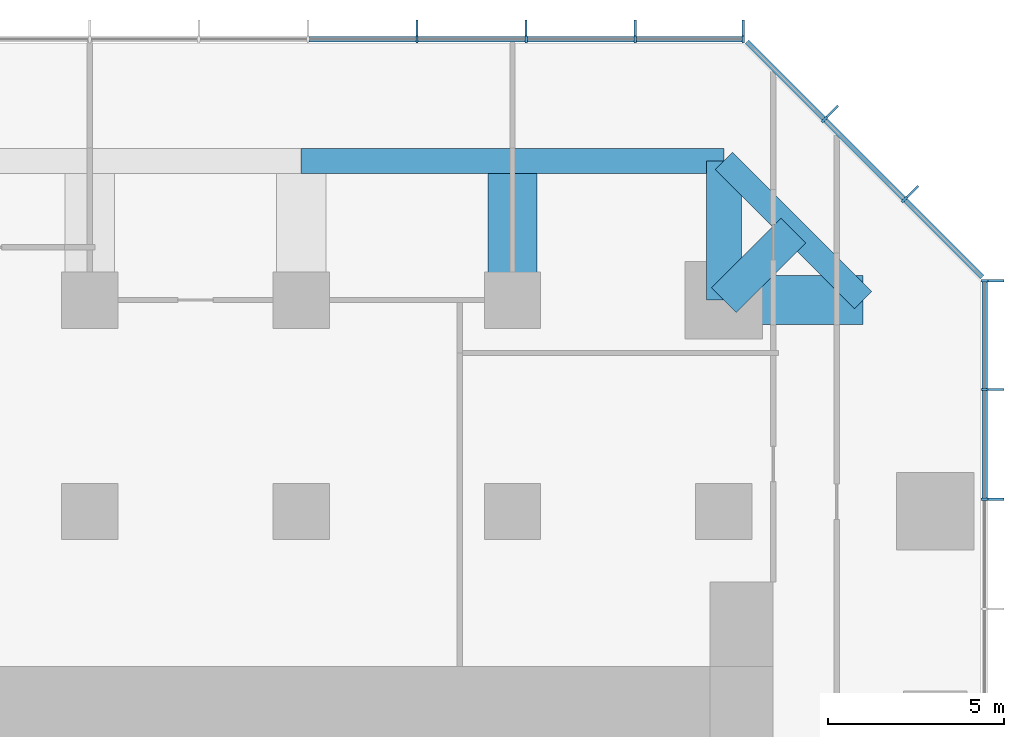
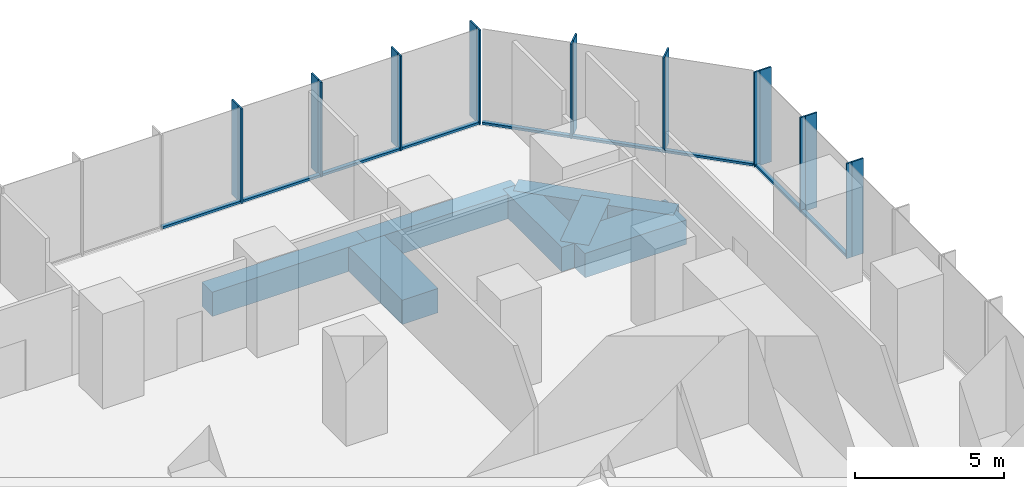
# One storey, part 6 of 11: 27 members, 7 beams, 3 elements without a shape of their own.
"""IFC4 building model written with IfcOpenShell, lengths in metres."""

import ifcopenshell
import ifcopenshell.guid

model = None  # the IFC model being written
_history = None  # IfcOwnerHistory: only IFC2X3 demands one
_inside = {}  # id of a spatial element -> (the spatial element, [elements in it])
_under = {}  # id of a project, library or spatial element -> (it, [spatial elements below it])
_declared = {}  # id of a project -> (the project, [libraries it declares])
_typed = {}  # id of a type object -> (the type object, [elements of that type])
_made_of = {}  # id of a material, layer set ... -> (it, [elements and type objects made of it])


def new_model(schema):
    """Start an empty IFC model of exactly this schema.

    Asked for "IFC4X3", IfcOpenShell would pick the latest addendum, in which some entities
    have other attributes; the version numbers below select the first issue.
    IFC2X3 requires an IfcOwnerHistory on every rooted entity: one is made here for all.
    """
    global model, _history
    if schema == "IFC4X3":
        model = ifcopenshell.file(schema_version=(4, 3, 0, 0))
    else:
        model = ifcopenshell.file(schema=schema)
    _inside.clear()
    _under.clear()
    _declared.clear()
    _typed.clear()
    _made_of.clear()
    _history = None
    if model.schema == "IFC2X3":
        org = make("IfcOrganization", Name="unknown")
        user = make(
            "IfcPersonAndOrganization",
            ThePerson=make("IfcPerson", FamilyName="unknown"),
            TheOrganization=org,
        )
        app = make(
            "IfcApplication",
            ApplicationDeveloper=org,
            Version="unknown",
            ApplicationFullName="unknown",
            ApplicationIdentifier="unknown",
        )
        _history = make(
            "IfcOwnerHistory",
            OwningUser=user,
            OwningApplication=app,
            ChangeAction="ADDED",
            CreationDate=0,
        )
    return model


def make(cls, **values):
    """One entity of the class cls with the attributes given. An attribute that is None is left unset."""
    return model.create_entity(
        cls, **{name: value for name, value in values.items() if value is not None}
    )


def rooted(cls, **values):
    """An entity with a GlobalId (a new one), such as an element, a storey or a relation."""
    return make(cls, GlobalId=ifcopenshell.guid.new(), OwnerHistory=_history, **values)


def si_unit(unit_type, name, prefix=None):
    """IfcSIUnit, for example si_unit("LENGTHUNIT", "METRE", prefix="MILLI")."""
    return make("IfcSIUnit", UnitType=unit_type, Prefix=prefix, Name=name)


def assignment(units):
    """IfcUnitAssignment: the units of a project."""
    return None if units is None else make("IfcUnitAssignment", Units=units)


def point(xyz):
    """IfcCartesianPoint."""
    return None if xyz is None else make("IfcCartesianPoint", Coordinates=xyz)


def direction(xyz):
    """IfcDirection."""
    return None if xyz is None else make("IfcDirection", DirectionRatios=xyz)


def frame(location, z_axis=None, x_axis=None):
    """IfcAxis2Placement3D, a coordinate frame: its origin and axes. An axis left out is left unset."""
    return make(
        "IfcAxis2Placement3D",
        Location=point(location),
        Axis=direction(z_axis),
        RefDirection=direction(x_axis),
    )


def frame_2d(location, x_axis=None):
    """IfcAxis2Placement2D, a coordinate frame in the plane: its origin and x axis."""
    return make(
        "IfcAxis2Placement2D", Location=point(location), RefDirection=direction(x_axis)
    )


def origin():
    """The frame at (0, 0, 0) with its axes left unset."""
    return frame((0.0, 0.0, 0.0))


def origin_2d():
    """The frame at (0, 0) in the plane with its x axis left unset."""
    return frame_2d((0.0, 0.0))


def place(relative_to, where):
    """IfcLocalPlacement: puts the frame where relative to a parent placement (None: the world)."""
    return make(
        "IfcLocalPlacement", PlacementRelTo=relative_to, RelativePlacement=where
    )


def context(
    kind, dimensions, precision=None, world=None, true_north=None, identifier=None
):
    """IfcGeometricRepresentationContext, for example the 3D "Model" context."""
    return make(
        "IfcGeometricRepresentationContext",
        ContextIdentifier=identifier,
        ContextType=kind,
        CoordinateSpaceDimension=dimensions,
        Precision=precision,
        WorldCoordinateSystem=world,
        TrueNorth=true_north,
    )


def subcontext(parent, identifier, kind, view, scale=None):
    """IfcGeometricRepresentationSubContext, for example "Body" below "Model"."""
    return make(
        "IfcGeometricRepresentationSubContext",
        ContextIdentifier=identifier,
        ContextType=kind,
        ParentContext=parent,
        TargetScale=scale,
        TargetView=view,
    )


def project(units=None, contexts=None):
    """IfcProject with its units and contexts."""
    return rooted(
        "IfcProject",
        Name="project",
        RepresentationContexts=contexts,
        UnitsInContext=assignment(units),
    )


def spatial(cls, under=None, at=None, **own):
    """A site, building, storey or space (cls), placed at a placement, below another one or the project."""
    s = rooted(cls, ObjectPlacement=at, **own)
    if under is not None:
        _under.setdefault(under.id(), (under, []))[1].append(s)
    return s


def profile(cls, at=None, kind="AREA", **sizes):
    """A parametric profile (cls). Its sizes go by their IFC names, for example OverallWidth=200.0."""
    return make(cls, ProfileType=kind, Position=at, **sizes)


def rectangle(**sizes):
    """IfcRectangleProfileDef."""
    return profile("IfcRectangleProfileDef", **sizes)


def extrude(swept, where, along, depth):
    """IfcExtrudedAreaSolid: the profile swept, set in the frame where, extruded along a direction by depth."""
    return make(
        "IfcExtrudedAreaSolid",
        SweptArea=swept,
        Position=where,
        ExtrudedDirection=direction(along),
        Depth=depth,
    )


def shape(context_of_items, identifier, shape_type, items):
    """IfcShapeRepresentation: the items that make up one representation, for example the "Body"."""
    return make(
        "IfcShapeRepresentation",
        ContextOfItems=context_of_items,
        RepresentationIdentifier=identifier,
        RepresentationType=shape_type,
        Items=items,
    )


def material(Name=None, Category=None):
    """IfcMaterial."""
    return make("IfcMaterial", Name=Name, Category=Category)


def layer(
    of_material, thickness, ventilated=None, Name=None, Category=None, Priority=None
):
    """IfcMaterialLayer: one layer of a wall or slab, of a material (None: an air gap)."""
    return make(
        "IfcMaterialLayer",
        Material=of_material,
        LayerThickness=thickness,
        IsVentilated=ventilated,
        Name=Name,
        Category=Category,
        Priority=Priority,
    )


def layer_set(layers, Name=None):
    """IfcMaterialLayerSet."""
    return make("IfcMaterialLayerSet", MaterialLayers=layers, LayerSetName=Name)


def material_profile(
    of_material, cross_section, Name=None, Category=None, Priority=None
):
    """IfcMaterialProfile: a cross section and its material."""
    return make(
        "IfcMaterialProfile",
        Name=Name,
        Material=of_material,
        Profile=cross_section,
        Priority=Priority,
        Category=Category,
    )


def profile_set(profiles, Name=None, composite=None):
    """IfcMaterialProfileSet."""
    return make(
        "IfcMaterialProfileSet",
        Name=Name,
        MaterialProfiles=profiles,
        CompositeProfile=composite,
    )


def made_of(thing, what):
    """Note that an element or type object is made of a material, layer set ...; save() writes the relation."""
    if what is not None:
        _made_of.setdefault(what.id(), (what, []))[1].append(thing)
    return thing


def type_object(cls, material=None, **own):
    """A type object (cls), such as IfcWallType, which elements share."""
    return made_of(rooted(cls, **own), material)


def element(
    cls,
    number,
    at=None,
    inside=None,
    cuts=None,
    type_object=None,
    material=None,
    context=None,
    identifier="Body",
    shape_type=None,
    held_by="IfcProductDefinitionShape",
    body=None,
    shapes=None,
    **own,
):
    """One element of the class cls, such as IfcWall. Its Tag is "e" and its number.

    at: its placement. inside: the storey or other place that contains it. cuts: it is an
    opening in that element (IfcRelVoidsElement). A single representation is given by context,
    identifier, shape_type and body (its items); several are given by shapes. held_by: the class
    of the entity that holds the representations. save() writes the other relations.
    """
    e = rooted(cls, Tag="e%d" % number, ObjectPlacement=at, **own)
    if body is not None:
        shapes = [shape(context, identifier, shape_type, body)]
    if shapes is not None:
        e.Representation = make(held_by, Representations=shapes)
    if inside is not None:
        _inside.setdefault(inside.id(), (inside, []))[1].append(e)
    if cuts is not None:
        rooted(
            "IfcRelVoidsElement", RelatingBuildingElement=cuts, RelatedOpeningElement=e
        )
    if type_object is not None:
        _typed.setdefault(type_object.id(), (type_object, []))[1].append(e)
    return made_of(e, material)


def aggregate(whole, parts):
    """IfcRelAggregates: a whole, such as a stair, and the parts it consists of."""
    return rooted("IfcRelAggregates", RelatingObject=whole, RelatedObjects=parts)


def save(model, path):
    """Write the relations noted so far, then the file.

    IfcRelAggregates (storeys below a building ...), IfcRelContainedInSpatialStructure (elements
    in a storey), IfcRelDefinesByType, IfcRelAssociatesMaterial and IfcRelDeclares: one each for
    every whole, place, type object, material and project.
    """
    for whole, parts in _under.values():
        aggregate(whole, parts)
    for where, things in _inside.values():
        rooted(
            "IfcRelContainedInSpatialStructure",
            RelatedElements=things,
            RelatingStructure=where,
        )
    for kind, things in _typed.values():
        rooted("IfcRelDefinesByType", RelatedObjects=things, RelatingType=kind)
    for what, things in _made_of.values():
        rooted("IfcRelAssociatesMaterial", RelatedObjects=things, RelatingMaterial=what)
    for by, libraries in _declared.values():
        rooted("IfcRelDeclares", RelatingContext=by, RelatedDefinitions=libraries)
    model.write(path)


model = new_model("IFC4")

# Units and contexts
model_context = context("Model", 3, precision=1e-05, world=origin(), true_north=direction((0.0, 1.0)))
body_context = subcontext(model_context, "Body", "Model", "MODEL_VIEW")
ifc_project = project(units=[si_unit("LENGTHUNIT", "METRE"), si_unit("AREAUNIT", "SQUARE_METRE"), si_unit("VOLUMEUNIT", "CUBIC_METRE"), si_unit("PLANEANGLEUNIT", "RADIAN"), si_unit("MASSUNIT", "GRAM", prefix="KILO")], contexts=[model_context])

# Site, building, storey
site_placement = place(None, origin())
site = spatial("IfcSite", under=ifc_project, at=site_placement, CompositionType="ELEMENT")
building_placement = place(site_placement, origin())
building = spatial("IfcBuilding", under=site, at=building_placement, Name="Highveld Stack Headquarters", CompositionType="ELEMENT")
storey_placement = place(building_placement, frame((0.0, 0.0, 105.5)))
storey = spatial("IfcBuildingStorey", under=building, at=storey_placement, Name="L25", CompositionType="ELEMENT", Elevation=105.5)

# Beams
ifc_material_1 = material(Name="Concrete C60/75", Category="concrete")
ifc_material_profile_1 = material_profile(ifc_material_1, rectangle(XDim=1.0, YDim=1.0, at=origin_2d()), Name="RC 1000x1000")
ifc_profile_set_1 = profile_set([ifc_material_profile_1], Name="Concrete C60/75")
beam_type_1 = type_object("IfcBeamType", Name="CANTILEVER RIB RC 1000x1000", PredefinedType="USERDEFINED", material=ifc_profile_set_1)
beam_1_placement = place(storey_placement, frame((18.0, 24.0, -0.75), z_axis=(0.0, 1.0, 0.0), x_axis=(-1.0, 0.0, 0.0)))
element("IfcBeam", 1, at=beam_1_placement, inside=storey, type_object=beam_type_1, Name="Cantilever rib 9/J L25", ObjectType="CANTILEVER RIB", PredefinedType="USERDEFINED", context=body_context, shape_type="SweptSolid", body=[
    extrude(rectangle(XDim=1.0, YDim=1.0, at=origin_2d()), origin(), (0.0, 0.0, 1.0), 3.949951171875),
])
beam_2_placement = place(storey_placement, frame((18.0, 24.0, -0.75), z_axis=(0.707106781187, 0.707106781187, 0.0), x_axis=(-0.707106781187, 0.707106781187, 0.0)))
element("IfcBeam", 2, at=beam_2_placement, inside=storey, type_object=beam_type_1, Name="Cantilever rib 9/J L25", ObjectType="CANTILEVER RIB", PredefinedType="USERDEFINED", context=body_context, shape_type="SweptSolid", body=[
    extrude(rectangle(XDim=1.0, YDim=1.0, at=origin_2d()), origin(), (0.0, 0.0, 1.0), 2.793212890625),
])
ifc_material_2 = material(Name="Concrete C60/75", Category="concrete")
ifc_material_profile_2 = material_profile(ifc_material_2, rectangle(XDim=1.39990234375, YDim=1.0, at=origin_2d()), Name="RC 1400x1000")
ifc_profile_set_2 = profile_set([ifc_material_profile_2], Name="Concrete C60/75")
beam_type_2 = type_object("IfcBeamType", Name="CANTILEVER RIB RC 1400x1000", PredefinedType="USERDEFINED", material=ifc_profile_set_2)
for number, where, z_axis, x_axis, name in (
    (3, (12.0, 24.0, -0.75), (0.0, 1.0, 0.0), (-1.0, 0.0, 0.0), "Cantilever rib 8/J L25"),
    (4, (18.0, 24.0, -0.75), (1.0, 0.0, 0.0), (0.0, 1.0, 0.0), "Cantilever rib 9/J L25"),
):
    element("IfcBeam", number, at=place(storey_placement, frame(where, z_axis=z_axis, x_axis=x_axis)), inside=storey, type_object=beam_type_2, Name=name, ObjectType="CANTILEVER RIB", PredefinedType="USERDEFINED", context=body_context, shape_type="SweptSolid", body=[
        extrude(rectangle(XDim=1.39990234375, YDim=1.0, at=origin_2d()), origin(), (0.0, 0.0, 1.0), 3.949951171875),
    ])

# Curtain wall, members
ifc_material_3 = material(Name="Aluminium bronze anodised", Category="aluminium")
ifc_layer_1 = layer(ifc_material_3, 0.199951171875)
ifc_layer_set_1 = layer_set([ifc_layer_1], Name="Aluminium bronze anodised")
curtain_wall_type_1 = type_object("IfcCurtainWallType", Name="CW1 TOWER UNITISED CURTAIN WALL", PredefinedType="NOTDEFINED", material=ifc_layer_set_1)
curtain_wall_1_placement = place(storey_placement, origin())
curtain_wall_1 = element("IfcCurtainWall", 5, at=curtain_wall_1_placement, inside=storey, type_object=curtain_wall_type_1, Name="Curtain wall CW1 L25 E", PredefinedType="NOTDEFINED")
ifc_material_4 = material(Name="Aluminium bronze anodised", Category="aluminium")
ifc_material_profile_3 = material_profile(ifc_material_4, rectangle(XDim=0.449951171875, YDim=0.06005859375, at=origin_2d()), Name="FIN 450x60")
ifc_profile_set_3 = profile_set([ifc_material_profile_3], Name="Aluminium bronze anodised")
member_type_1 = type_object("IfcMemberType", Name="CW1 BRONZE FIN 450x60", PredefinedType="USERDEFINED", material=ifc_profile_set_3)
member_1_placement = place(storey_placement, frame((25.72509765625, 18.347900390625, 0.0), z_axis=(0.0, 0.0, 1.0), x_axis=(-1.0, 0.0, 0.0)))
member_1 = element("IfcMember", 6, at=member_1_placement, type_object=member_type_1, Name="CW1 fin L25 9", ObjectType="FIN", PredefinedType="USERDEFINED", context=body_context, shape_type="SweptSolid", body=[
    extrude(rectangle(XDim=0.449951171875, YDim=0.06005859375, at=origin_2d()), origin(), (0.0, 0.0, 1.0), 3.89990234375),
])
member_2_placement = place(storey_placement, frame((25.72509765625, 21.4638671875, 0.0), z_axis=(0.0, 0.0, 1.0), x_axis=(-1.0, 0.0, 0.0)))
member_2 = element("IfcMember", 7, at=member_2_placement, type_object=member_type_1, Name="CW1 fin L25 10", ObjectType="FIN", PredefinedType="USERDEFINED", context=body_context, shape_type="SweptSolid", body=[
    extrude(rectangle(XDim=0.449951171875, YDim=0.06005859375, at=origin_2d()), origin(), (0.0, 0.0, 1.0), 3.89990234375),
])
member_3_placement = place(storey_placement, frame((25.72509765625, 24.54736328125, 0.0), z_axis=(0.0, 0.0, 1.0), x_axis=(-1.0, 0.0, 0.0)))
member_3 = element("IfcMember", 8, at=member_3_placement, type_object=member_type_1, Name="CW1 fin L25 11", ObjectType="FIN", PredefinedType="USERDEFINED", context=body_context, shape_type="SweptSolid", body=[
    extrude(rectangle(XDim=0.449951171875, YDim=0.06005859375, at=origin_2d()), origin(), (0.0, 0.0, 1.0), 3.89990234375),
])

curtain_wall_2_placement = place(storey_placement, origin())
curtain_wall_2 = element("IfcCurtainWall", 9, at=curtain_wall_2_placement, inside=storey, type_object=curtain_wall_type_1, Name="Curtain wall CW1 L25 N", PredefinedType="NOTDEFINED")
member_4_placement = place(storey_placement, frame((18.54736328125, 31.72509765625, 0.0), z_axis=(0.0, 0.0, 1.0), x_axis=(0.0, -1.0, 0.0)))
member_4 = element("IfcMember", 10, at=member_4_placement, type_object=member_type_1, Name="CW1 fin L25 1", ObjectType="FIN", PredefinedType="USERDEFINED", context=body_context, shape_type="SweptSolid", body=[
    extrude(rectangle(XDim=0.449951171875, YDim=0.06005859375, at=origin_2d()), origin(), (0.0, 0.0, 1.0), 3.89990234375),
])
member_5_placement = place(storey_placement, frame((15.483154296875, 31.72509765625, 0.0), z_axis=(0.0, 0.0, 1.0), x_axis=(0.0, -1.0, 0.0)))
member_5 = element("IfcMember", 11, at=member_5_placement, type_object=member_type_1, Name="CW1 fin L25 2", ObjectType="FIN", PredefinedType="USERDEFINED", context=body_context, shape_type="SweptSolid", body=[
    extrude(rectangle(XDim=0.449951171875, YDim=0.06005859375, at=origin_2d()), origin(), (0.0, 0.0, 1.0), 3.89990234375),
])
member_6_placement = place(storey_placement, frame((12.38671875, 31.72509765625, 0.0), z_axis=(0.0, 0.0, 1.0), x_axis=(0.0, -1.0, 0.0)))
member_6 = element("IfcMember", 12, at=member_6_placement, type_object=member_type_1, Name="CW1 fin L25 3", ObjectType="FIN", PredefinedType="USERDEFINED", context=body_context, shape_type="SweptSolid", body=[
    extrude(rectangle(XDim=0.449951171875, YDim=0.06005859375, at=origin_2d()), origin(), (0.0, 0.0, 1.0), 3.89990234375),
])
member_7_placement = place(storey_placement, frame((9.289794921875, 31.72509765625, 0.0), z_axis=(0.0, 0.0, 1.0), x_axis=(0.0, -1.0, 0.0)))
member_7 = element("IfcMember", 13, at=member_7_placement, type_object=member_type_1, Name="CW1 fin L25 4", ObjectType="FIN", PredefinedType="USERDEFINED", context=body_context, shape_type="SweptSolid", body=[
    extrude(rectangle(XDim=0.449951171875, YDim=0.06005859375, at=origin_2d()), origin(), (0.0, 0.0, 1.0), 3.89990234375),
])

# Member
ifc_material_5 = material(Name="Aluminium bronze anodised", Category="aluminium")
ifc_material_profile_4 = material_profile(ifc_material_5, rectangle(XDim=0.199951171875, YDim=0.06494140625, at=origin_2d()), Name="CW1 MULLION 65x200")
ifc_profile_set_4 = profile_set([ifc_material_profile_4], Name="Aluminium bronze anodised")
member_type_2 = type_object("IfcMemberType", Name="CW1 MULLION 65x200", PredefinedType="MULLION", material=ifc_profile_set_4)
member_8_placement = place(storey_placement, frame((25.39990234375, 18.347900390625, 0.0), z_axis=(0.0, 0.0, 1.0), x_axis=(-1.0, 0.0, 0.0)))
member_8 = element("IfcMember", 14, at=member_8_placement, type_object=member_type_2, Name="CW1 mullion L25 9", PredefinedType="MULLION", context=body_context, shape_type="SweptSolid", body=[
    extrude(rectangle(XDim=0.199951171875, YDim=0.06494140625, at=origin_2d()), origin(), (0.0, 0.0, 1.0), 3.89990234375),
])

member_9_placement = place(storey_placement, frame((25.39990234375, 21.4638671875, 0.0), z_axis=(0.0, 0.0, 1.0), x_axis=(-1.0, 0.0, 0.0)))
member_9 = element("IfcMember", 15, at=member_9_placement, type_object=member_type_2, Name="CW1 mullion L25 10", PredefinedType="MULLION", context=body_context, shape_type="SweptSolid", body=[
    extrude(rectangle(XDim=0.199951171875, YDim=0.06494140625, at=origin_2d()), origin(), (0.0, 0.0, 1.0), 3.89990234375),
])

member_10_placement = place(storey_placement, frame((25.39990234375, 24.54736328125, 0.0), z_axis=(0.0, 0.0, 1.0), x_axis=(-1.0, 0.0, 0.0)))
member_10 = element("IfcMember", 16, at=member_10_placement, type_object=member_type_2, Name="CW1 mullion L25 11", PredefinedType="MULLION", context=body_context, shape_type="SweptSolid", body=[
    extrude(rectangle(XDim=0.199951171875, YDim=0.06494140625, at=origin_2d()), origin(), (0.0, 0.0, 1.0), 3.89990234375),
])

member_11_placement = place(storey_placement, frame((18.54736328125, 31.39990234375, 0.0), z_axis=(0.0, 0.0, 1.0), x_axis=(0.0, -1.0, 0.0)))
member_11 = element("IfcMember", 17, at=member_11_placement, type_object=member_type_2, Name="CW1 mullion L25 1", PredefinedType="MULLION", context=body_context, shape_type="SweptSolid", body=[
    extrude(rectangle(XDim=0.199951171875, YDim=0.06494140625, at=origin_2d()), origin(), (0.0, 0.0, 1.0), 3.89990234375),
])

member_12_placement = place(storey_placement, frame((15.483154296875, 31.39990234375, 0.0), z_axis=(0.0, 0.0, 1.0), x_axis=(0.0, -1.0, 0.0)))
member_12 = element("IfcMember", 18, at=member_12_placement, type_object=member_type_2, Name="CW1 mullion L25 2", PredefinedType="MULLION", context=body_context, shape_type="SweptSolid", body=[
    extrude(rectangle(XDim=0.199951171875, YDim=0.06494140625, at=origin_2d()), origin(), (0.0, 0.0, 1.0), 3.89990234375),
])

member_13_placement = place(storey_placement, frame((12.38671875, 31.39990234375, 0.0), z_axis=(0.0, 0.0, 1.0), x_axis=(0.0, -1.0, 0.0)))
member_13 = element("IfcMember", 19, at=member_13_placement, type_object=member_type_2, Name="CW1 mullion L25 3", PredefinedType="MULLION", context=body_context, shape_type="SweptSolid", body=[
    extrude(rectangle(XDim=0.199951171875, YDim=0.06494140625, at=origin_2d()), origin(), (0.0, 0.0, 1.0), 3.89990234375),
])

member_14_placement = place(storey_placement, frame((9.289794921875, 31.39990234375, 0.0), z_axis=(0.0, 0.0, 1.0), x_axis=(0.0, -1.0, 0.0)))
member_14 = element("IfcMember", 20, at=member_14_placement, type_object=member_type_2, Name="CW1 mullion L25 4", PredefinedType="MULLION", context=body_context, shape_type="SweptSolid", body=[
    extrude(rectangle(XDim=0.199951171875, YDim=0.06494140625, at=origin_2d()), origin(), (0.0, 0.0, 1.0), 3.89990234375),
])

ifc_material_6 = material(Name="Aluminium bronze anodised", Category="aluminium")
ifc_material_profile_5 = material_profile(ifc_material_6, rectangle(XDim=0.14990234375, YDim=0.10009765625, at=origin_2d()), Name="CW1 TRANSOM 150x100")
ifc_profile_set_5 = profile_set([ifc_material_profile_5], Name="Aluminium bronze anodised")
member_type_3 = type_object("IfcMemberType", Name="CW1 STACK TRANSOM 150x100", PredefinedType="USERDEFINED", material=ifc_profile_set_5)
member_15_placement = place(storey_placement, frame((25.39990234375, 18.38037109375, 0.050048828125), z_axis=(0.0, 1.0, 0.0), x_axis=(-1.0, 0.0, 0.0)))
member_15 = element("IfcMember", 21, at=member_15_placement, type_object=member_type_3, Name="CW1 transom L25 9.1", ObjectType="TRANSOM", PredefinedType="USERDEFINED", context=body_context, shape_type="SweptSolid", body=[
    extrude(rectangle(XDim=0.14990234375, YDim=0.10009765625, at=origin_2d()), origin(), (0.0, 0.0, 1.0), 3.051025390625),
])

member_16_placement = place(storey_placement, frame((25.39990234375, 21.496337890625, 0.050048828125), z_axis=(0.0, 1.0, 0.0), x_axis=(-1.0, 0.0, 0.0)))
member_16 = element("IfcMember", 22, at=member_16_placement, type_object=member_type_3, Name="CW1 transom L25 10.1", ObjectType="TRANSOM", PredefinedType="USERDEFINED", context=body_context, shape_type="SweptSolid", body=[
    extrude(rectangle(XDim=0.14990234375, YDim=0.10009765625, at=origin_2d()), origin(), (0.0, 0.0, 1.0), 3.0185546875),
])

aggregate(curtain_wall_1, [member_8, member_1, member_9, member_2, member_10, member_3, member_15, member_16])

member_17_placement = place(storey_placement, frame((18.514892578125, 31.39990234375, 0.050048828125), z_axis=(-1.0, 0.0, 0.0), x_axis=(0.0, -1.0, 0.0)))
member_17 = element("IfcMember", 23, at=member_17_placement, type_object=member_type_3, Name="CW1 transom L25 1.1", ObjectType="TRANSOM", PredefinedType="USERDEFINED", context=body_context, shape_type="SweptSolid", body=[
    extrude(rectangle(XDim=0.14990234375, YDim=0.10009765625, at=origin_2d()), origin(), (0.0, 0.0, 1.0), 2.999267578125),
])

member_18_placement = place(storey_placement, frame((15.45068359375, 31.39990234375, 0.050048828125), z_axis=(-1.0, 0.0, 0.0), x_axis=(0.0, -1.0, 0.0)))
member_18 = element("IfcMember", 24, at=member_18_placement, type_object=member_type_3, Name="CW1 transom L25 2.1", ObjectType="TRANSOM", PredefinedType="USERDEFINED", context=body_context, shape_type="SweptSolid", body=[
    extrude(rectangle(XDim=0.14990234375, YDim=0.10009765625, at=origin_2d()), origin(), (0.0, 0.0, 1.0), 3.031494140625),
])

member_19_placement = place(storey_placement, frame((12.35400390625, 31.39990234375, 0.050048828125), z_axis=(-1.0, 0.0, 0.0), x_axis=(0.0, -1.0, 0.0)))
member_19 = element("IfcMember", 25, at=member_19_placement, type_object=member_type_3, Name="CW1 transom L25 3.1", ObjectType="TRANSOM", PredefinedType="USERDEFINED", context=body_context, shape_type="SweptSolid", body=[
    extrude(rectangle(XDim=0.14990234375, YDim=0.10009765625, at=origin_2d()), origin(), (0.0, 0.0, 1.0), 3.031494140625),
])

member_20_placement = place(storey_placement, frame((9.25732421875, 31.39990234375, 0.050048828125), z_axis=(-1.0, 0.0, 0.0), x_axis=(0.0, -1.0, 0.0)))
member_20 = element("IfcMember", 26, at=member_20_placement, type_object=member_type_3, Name="CW1 transom L25 4.1", ObjectType="TRANSOM", PredefinedType="USERDEFINED", context=body_context, shape_type="SweptSolid", body=[
    extrude(rectangle(XDim=0.14990234375, YDim=0.10009765625, at=origin_2d()), origin(), (0.0, 0.0, 1.0), 3.031494140625),
])

aggregate(curtain_wall_2, [member_11, member_4, member_12, member_5, member_13, member_6, member_14, member_7, member_17, member_18, member_19, member_20])

# Curtain wall, members
ifc_material_7 = material(Name="Aluminium bronze anodised", Category="aluminium")
ifc_layer_2 = layer(ifc_material_7, 0.199951171875)
ifc_layer_set_2 = layer_set([ifc_layer_2], Name="Aluminium bronze anodised")
curtain_wall_type_2 = type_object("IfcCurtainWallType", Name="CW2 TOWER CHAMFER UNITISED CURTAIN WALL", PredefinedType="NOTDEFINED", material=ifc_layer_set_2)
curtain_wall_3_placement = place(storey_placement, origin())
curtain_wall_3 = element("IfcCurtainWall", 27, at=curtain_wall_3_placement, inside=storey, type_object=curtain_wall_type_2, Name="Curtain wall CW2 L25 NE", PredefinedType="NOTDEFINED")
ifc_material_8 = material(Name="Aluminium bronze anodised", Category="aluminium")
ifc_material_profile_6 = material_profile(ifc_material_8, rectangle(XDim=0.449951171875, YDim=0.06005859375, at=origin_2d()), Name="FIN 450x60")
ifc_profile_set_6 = profile_set([ifc_material_profile_6], Name="Aluminium bronze anodised")
member_type_4 = type_object("IfcMemberType", Name="CW2 BRONZE FIN 450x60", PredefinedType="USERDEFINED", material=ifc_profile_set_6)
member_21_placement = place(storey_placement, frame((23.3564453125, 27.0830078125, 0.0), z_axis=(0.0, 0.0, 1.0), x_axis=(-0.707106781187, -0.707106781187, 0.0)))
member_21 = element("IfcMember", 28, at=member_21_placement, type_object=member_type_4, Name="CW2 fin L25 1", ObjectType="FIN", PredefinedType="USERDEFINED", context=body_context, shape_type="SweptSolid", body=[
    extrude(rectangle(XDim=0.449951171875, YDim=0.06005859375, at=origin_2d()), origin(), (0.0, 0.0, 1.0), 3.89990234375),
])
member_22_placement = place(storey_placement, frame((21.0830078125, 29.3564453125, 0.0), z_axis=(0.0, 0.0, 1.0), x_axis=(-0.707106781187, -0.707106781187, 0.0)))
member_22 = element("IfcMember", 29, at=member_22_placement, type_object=member_type_4, Name="CW2 fin L25 2", ObjectType="FIN", PredefinedType="USERDEFINED", context=body_context, shape_type="SweptSolid", body=[
    extrude(rectangle(XDim=0.449951171875, YDim=0.06005859375, at=origin_2d()), origin(), (0.0, 0.0, 1.0), 3.89990234375),
])
ifc_material_9 = material(Name="Aluminium bronze anodised", Category="aluminium")
ifc_material_profile_7 = material_profile(ifc_material_9, rectangle(XDim=0.199951171875, YDim=0.06494140625, at=origin_2d()), Name="CW2 MULLION 65x200")
ifc_profile_set_7 = profile_set([ifc_material_profile_7], Name="Aluminium bronze anodised")
member_type_5 = type_object("IfcMemberType", Name="CW2 MULLION 65x200", PredefinedType="MULLION", material=ifc_profile_set_7)
member_23_placement = place(storey_placement, frame((23.126708984375, 26.853271484375, 0.0), z_axis=(0.0, 0.0, 1.0), x_axis=(-0.707106781187, -0.707106781187, 0.0)))
member_23 = element("IfcMember", 30, at=member_23_placement, type_object=member_type_5, Name="CW2 mullion L25 1", PredefinedType="MULLION", context=body_context, shape_type="SweptSolid", body=[
    extrude(rectangle(XDim=0.199951171875, YDim=0.06494140625, at=origin_2d()), origin(), (0.0, 0.0, 1.0), 3.89990234375),
])
member_24_placement = place(storey_placement, frame((20.853271484375, 29.126708984375, 0.0), z_axis=(0.0, 0.0, 1.0), x_axis=(-0.707106781187, -0.707106781187, 0.0)))
member_24 = element("IfcMember", 31, at=member_24_placement, type_object=member_type_5, Name="CW2 mullion L25 2", PredefinedType="MULLION", context=body_context, shape_type="SweptSolid", body=[
    extrude(rectangle(XDim=0.199951171875, YDim=0.06494140625, at=origin_2d()), origin(), (0.0, 0.0, 1.0), 3.89990234375),
])
ifc_material_10 = material(Name="Aluminium bronze anodised", Category="aluminium")
ifc_material_profile_8 = material_profile(ifc_material_10, rectangle(XDim=0.14990234375, YDim=0.10009765625, at=origin_2d()), Name="CW2 TRANSOM 150x100")
ifc_profile_set_8 = profile_set([ifc_material_profile_8], Name="Aluminium bronze anodised")
member_type_6 = type_object("IfcMemberType", Name="CW2 STACK TRANSOM 150x100", PredefinedType="USERDEFINED", material=ifc_profile_set_8)
member_25_placement = place(storey_placement, frame((25.329345703125, 24.650634765625, 0.050048828125), z_axis=(-0.707106781187, 0.707106781187, 0.0), x_axis=(-0.707106781187, -0.707106781187, 0.0)))
member_25 = element("IfcMember", 32, at=member_25_placement, type_object=member_type_6, Name="CW2 transom L25 1.1", ObjectType="TRANSOM", PredefinedType="USERDEFINED", context=body_context, shape_type="SweptSolid", body=[
    extrude(rectangle(XDim=0.14990234375, YDim=0.10009765625, at=origin_2d()), origin(), (0.0, 0.0, 1.0), 3.08251953125),
])
member_26_placement = place(storey_placement, frame((23.103759765625, 26.876220703125, 0.050048828125), z_axis=(-0.707106781187, 0.707106781187, 0.0), x_axis=(-0.707106781187, -0.707106781187, 0.0)))
member_26 = element("IfcMember", 33, at=member_26_placement, type_object=member_type_6, Name="CW2 transom L25 2.1", ObjectType="TRANSOM", PredefinedType="USERDEFINED", context=body_context, shape_type="SweptSolid", body=[
    extrude(rectangle(XDim=0.14990234375, YDim=0.10009765625, at=origin_2d()), origin(), (0.0, 0.0, 1.0), 3.150146484375),
])
member_27_placement = place(storey_placement, frame((20.830322265625, 29.149658203125, 0.050048828125), z_axis=(-0.707106781187, 0.707106781187, 0.0), x_axis=(-0.707106781187, -0.707106781187, 0.0)))
member_27 = element("IfcMember", 34, at=member_27_placement, type_object=member_type_6, Name="CW2 transom L25 3.1", ObjectType="TRANSOM", PredefinedType="USERDEFINED", context=body_context, shape_type="SweptSolid", body=[
    extrude(rectangle(XDim=0.14990234375, YDim=0.10009765625, at=origin_2d()), origin(), (0.0, 0.0, 1.0), 3.08251953125),
])
aggregate(curtain_wall_3, [member_23, member_21, member_24, member_22, member_25, member_26, member_27])

# Beams
ifc_material_11 = material(Name="Concrete C60/75", Category="concrete")
ifc_material_profile_9 = material_profile(ifc_material_11, rectangle(XDim=0.699951171875, YDim=1.0, at=origin_2d()), Name="RC 700x1000")
ifc_profile_set_9 = profile_set([ifc_material_profile_9], Name="Concrete C60/75")
beam_type_3 = type_object("IfcBeamType", Name="RIB TIP BEAM RC 700x1000", PredefinedType="SPANDREL", material=ifc_profile_set_9)
for number, where, z_axis, x_axis, name in (
    (35, (6.0, 27.949951171875, -0.75), (1.0, 0.0, 0.0), (0.0, 1.0, 0.0), "Rib tip beam 7/J to 8/J L25"),
    (36, (12.0, 27.949951171875, -0.75), (1.0, 0.0, 0.0), (0.0, 1.0, 0.0), "Rib tip beam 8/J to 9/J L25"),
):
    element("IfcBeam", number, at=place(storey_placement, frame(where, z_axis=z_axis, x_axis=x_axis)), inside=storey, type_object=beam_type_3, Name=name, PredefinedType="SPANDREL", context=body_context, shape_type="SweptSolid", body=[
        extrude(rectangle(XDim=0.699951171875, YDim=1.0, at=origin_2d()), origin(), (0.0, 0.0, 1.0), 6.0),
    ])
beam_3_placement = place(storey_placement, frame((21.949951171875, 24.0, -0.75), z_axis=(-0.707106781187, 0.707106781187, 0.0), x_axis=(-0.707106781187, -0.707106781187, 0.0)))
element("IfcBeam", 37, at=beam_3_placement, inside=storey, type_object=beam_type_3, Name="Rib tip beam 9/J corner L25", PredefinedType="SPANDREL", context=body_context, shape_type="SweptSolid", body=[
    extrude(rectangle(XDim=0.699951171875, YDim=1.0, at=origin_2d()), origin(), (0.0, 0.0, 1.0), 5.586181640625),
])

save(model, "model.ifc")
